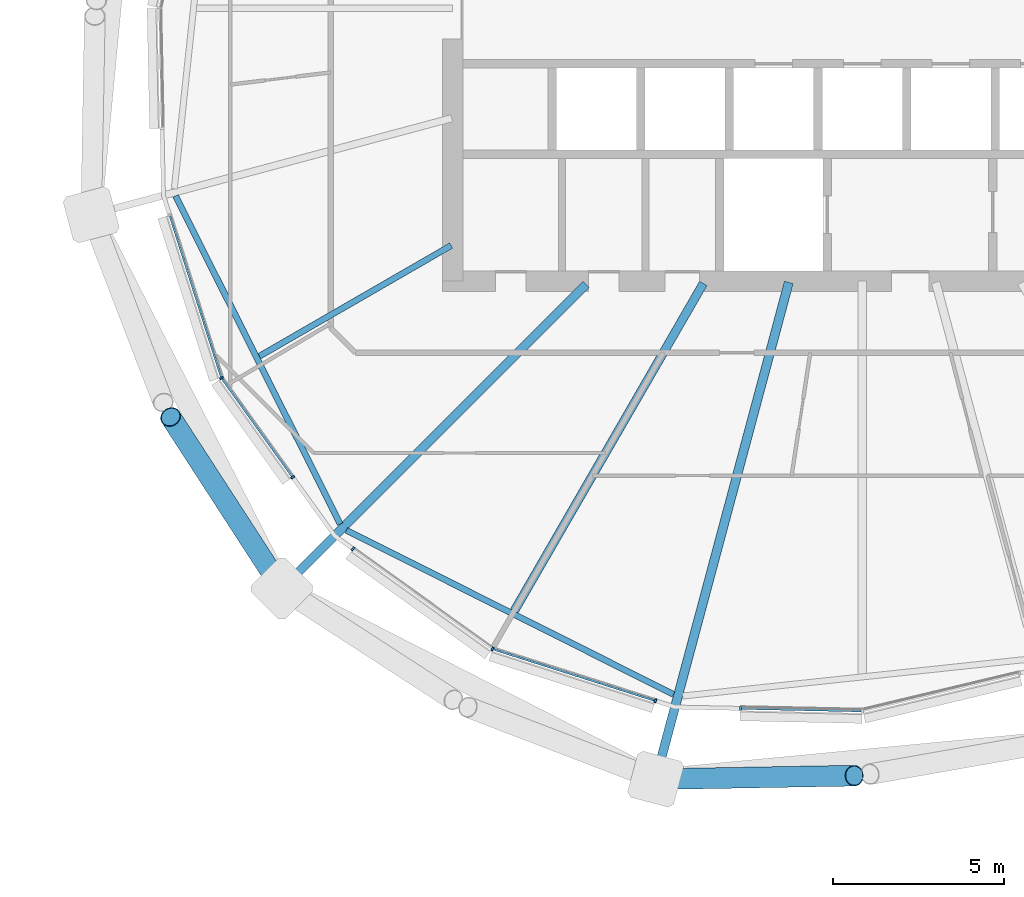
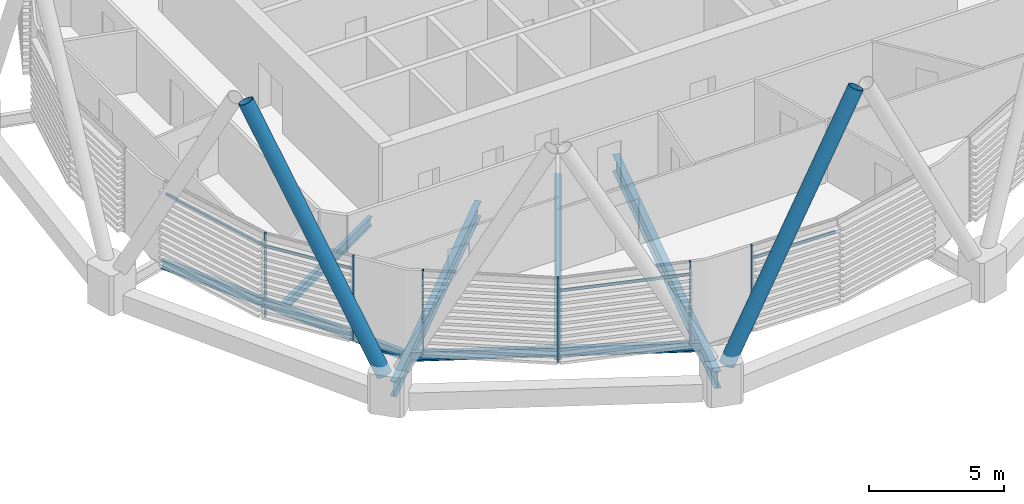
# One storey, part 14 of 35: 12 members, 6 beams, 1 element without a shape of its own.
"""IFC4 building model written with IfcOpenShell, lengths in metres."""

from ifc_helpers import new_model, si_unit, direction, frame, origin, origin_2d, place, context, subcontext, project, spatial, rectangle, hollow_circle, i_section, extrude, material, material_profile, profile_set, type_object, element, aggregate, save


model = new_model("IFC4")

# Units and contexts
model_context = context("Model", 3, precision=1e-05, world=origin(), true_north=direction((0.0, 1.0)))
body_context = subcontext(model_context, "Body", "Model", "MODEL_VIEW")
ifc_project = project(units=[si_unit("LENGTHUNIT", "METRE"), si_unit("AREAUNIT", "SQUARE_METRE"), si_unit("VOLUMEUNIT", "CUBIC_METRE"), si_unit("PLANEANGLEUNIT", "RADIAN"), si_unit("MASSUNIT", "GRAM", prefix="KILO")], contexts=[model_context])

# Site, building, storey
site_placement = place(None, origin())
site = spatial("IfcSite", under=ifc_project, at=site_placement, CompositionType="ELEMENT")
building_placement = place(site_placement, origin())
building = spatial("IfcBuilding", under=site, at=building_placement, Name="Rimbun Link Towers", CompositionType="ELEMENT")
storey_placement = place(building_placement, frame((0.0, 0.0, 181.699951171875)))
storey = spatial("IfcBuildingStorey", under=building, at=storey_placement, Name="L44", CompositionType="ELEMENT", Elevation=181.699951171875)

# Curtain wall, members
ifc_material_1 = material(Name="Aluminium 6063-T6 and low-iron glass", Category="aluminium")
curtain_wall_type = type_object("IfcCurtainWallType", Name="CW1-Z3 unitised vision wall (zone 3)", PredefinedType="NOTDEFINED", material=ifc_material_1)
curtain_wall_placement = place(storey_placement, origin())
curtain_wall = element("IfcCurtainWall", 1, at=curtain_wall_placement, inside=storey, type_object=curtain_wall_type, Name="CW1 L44 T2", PredefinedType="NOTDEFINED")
ifc_material_2 = material(Name="Aluminium 6063-T6", Category="aluminium")
ifc_material_profile_1 = material_profile(ifc_material_2, rectangle(XDim=0.1201171875, YDim=0.06005859375, at=origin_2d()), Name="MULLION 60X120")
ifc_profile_set_1 = profile_set([ifc_material_profile_1], Name="Aluminium 6063-T6")
member_type_1 = type_object("IfcMemberType", Name="CW1 mullion 60X120", PredefinedType="MULLION", material=ifc_profile_set_1)
member_1_placement = place(storey_placement, frame((12.974853515625, -10.835693359375, 0.0), z_axis=(0.0, 0.0, 1.0), x_axis=(-0.893747569042, -0.448570265211, 0.0)))
member_1 = element("IfcMember", 2, at=member_1_placement, type_object=member_type_1, Name="CW1 mullion", PredefinedType="MULLION", context=body_context, shape_type="SweptSolid", body=[
    extrude(rectangle(XDim=0.1201171875, YDim=0.06005859375, at=origin_2d()), origin(), (0.0, 0.0, 1.0), 3.800048828125),
])
member_2_placement = place(storey_placement, frame((15.061279296875, -13.744384765625, 0.0), z_axis=(0.0, 0.0, 1.0), x_axis=(-0.81246124987, -0.583015194879, 0.0)))
member_2 = element("IfcMember", 3, at=member_2_placement, type_object=member_type_1, Name="CW1 mullion", PredefinedType="MULLION", context=body_context, shape_type="SweptSolid", body=[
    extrude(rectangle(XDim=0.1201171875, YDim=0.06005859375, at=origin_2d()), origin(), (0.0, 0.0, 1.0), 3.800048828125),
])
member_3_placement = place(storey_placement, frame((20.914306640625, -18.775146484375, 0.0), z_axis=(0.0, 0.0, 1.0), x_axis=(-0.448570265211, -0.893747569042, 0.0)))
member_3 = element("IfcMember", 4, at=member_3_placement, type_object=member_type_1, Name="CW1 mullion", PredefinedType="MULLION", context=body_context, shape_type="SweptSolid", body=[
    extrude(rectangle(XDim=0.1201171875, YDim=0.06005859375, at=origin_2d()), origin(), (0.0, 0.0, 1.0), 3.800048828125),
])
member_4_placement = place(storey_placement, frame((16.82763671875, -15.84326171875, 0.0), z_axis=(0.0, 0.0, 1.0), x_axis=(-0.583015194879, -0.81246124987, 0.0)))
member_4 = element("IfcMember", 5, at=member_4_placement, type_object=member_type_1, Name="CW1 mullion", PredefinedType="MULLION", context=body_context, shape_type="SweptSolid", body=[
    extrude(rectangle(XDim=0.1201171875, YDim=0.06005859375, at=origin_2d()), origin(), (0.0, 0.0, 1.0), 3.800048828125),
])
member_5_placement = place(storey_placement, frame((25.688720703125, -20.294189453125, 0.0), z_axis=(0.0, 0.0, 1.0), x_axis=(-0.303053318374, -0.95297360206, 0.0)))
member_5 = element("IfcMember", 6, at=member_5_placement, type_object=member_type_1, Name="CW1 mullion", PredefinedType="MULLION", context=body_context, shape_type="SweptSolid", body=[
    extrude(rectangle(XDim=0.1201171875, YDim=0.06005859375, at=origin_2d()), origin(), (0.0, 0.0, 1.0), 3.800048828125),
])
member_6_placement = place(storey_placement, frame((28.177001953125, -20.518798828125, 0.0), z_axis=(0.0, 0.0, 1.0), x_axis=(-0.02106930936, -0.999778017463, 0.0)))
member_6 = element("IfcMember", 7, at=member_6_placement, type_object=member_type_1, Name="CW1 mullion", PredefinedType="MULLION", context=body_context, shape_type="SweptSolid", body=[
    extrude(rectangle(XDim=0.1201171875, YDim=0.06005859375, at=origin_2d()), origin(), (0.0, 0.0, 1.0), 3.800048828125),
])
ifc_material_3 = material(Name="Aluminium 6063-T6", Category="aluminium")
ifc_material_profile_2 = material_profile(ifc_material_3, rectangle(XDim=0.06005859375, YDim=0.1201171875, at=origin_2d()), Name="TRANSOM 60X120")
ifc_profile_set_2 = profile_set([ifc_material_profile_2], Name="Aluminium 6063-T6")
member_type_2 = type_object("IfcMemberType", Name="CW1 transom 60X120", PredefinedType="USERDEFINED", material=ifc_profile_set_2)
member_7_placement = place(storey_placement, frame((12.96435546875, -10.7978515625, 3.199951171875), z_axis=(-0.303079249721, 0.952965355293, 0.0), x_axis=(-0.952965355293, -0.303079249721, 0.0)))
member_7 = element("IfcMember", 8, at=member_7_placement, type_object=member_type_2, Name="CW1 transom", ObjectType="TRANSOM", PredefinedType="USERDEFINED", context=body_context, shape_type="SweptSolid", body=[
    extrude(rectangle(XDim=0.06005859375, YDim=0.1201171875, at=origin_2d()), origin(), (0.0, 0.0, 1.0), 4.941162109375),
])
member_8_placement = place(storey_placement, frame((15.04541015625, -13.718994140625, 3.199951171875), z_axis=(-0.582973756796, 0.812490983881, 0.0), x_axis=(-0.812490983881, -0.582973756796, 0.0)))
member_8 = element("IfcMember", 9, at=member_8_placement, type_object=member_type_2, Name="CW1 transom", ObjectType="TRANSOM", PredefinedType="USERDEFINED", context=body_context, shape_type="SweptSolid", body=[
    extrude(rectangle(XDim=0.06005859375, YDim=0.1201171875, at=origin_2d()), origin(), (0.0, 0.0, 1.0), 3.51025390625),
])
member_9_placement = place(storey_placement, frame((25.660888671875, -20.283203125, 3.199951171875), z_axis=(-0.952965355293, 0.303079249721, 0.0), x_axis=(-0.303079249721, -0.952965355293, 0.0)))
member_9 = element("IfcMember", 10, at=member_9_placement, type_object=member_type_2, Name="CW1 transom", ObjectType="TRANSOM", PredefinedType="USERDEFINED", context=body_context, shape_type="SweptSolid", body=[
    extrude(rectangle(XDim=0.06005859375, YDim=0.1201171875, at=origin_2d()), origin(), (0.0, 0.0, 1.0), 4.941162109375),
])
member_10_placement = place(storey_placement, frame((31.71875, -20.591552734375, 3.199951171875), z_axis=(-0.999776739259, 0.021129875468, 0.0), x_axis=(-0.021129875468, -0.999776739259, 0.0)))
member_10 = element("IfcMember", 11, at=member_10_placement, type_object=member_type_2, Name="CW1 transom", ObjectType="TRANSOM", PredefinedType="USERDEFINED", context=body_context, shape_type="SweptSolid", body=[
    extrude(rectangle(XDim=0.06005859375, YDim=0.1201171875, at=origin_2d()), origin(), (0.0, 0.0, 1.0), 3.512451171875),
])
aggregate(curtain_wall, [member_1, member_2, member_3, member_4, member_5, member_6, member_7, member_8, member_9, member_10])

# Members
ifc_material_4 = material(Name="Steel S355J2H", Category="steel")
ifc_material_profile_3 = material_profile(ifc_material_4, hollow_circle(Radius=0.3046875, WallThickness=0.02490234375, at=origin_2d()), Name="Diagrid diagonal CHS 610x25")
ifc_profile_set_3 = profile_set([ifc_material_profile_3], Name="Steel S355J2H")
member_type_3 = type_object("IfcMemberType", Name="Diagrid diagonal CHS 610x25", PredefinedType="BRACE", material=ifc_profile_set_3)
member_11_placement = place(storey_placement, frame((14.61279296875, -16.805419921875, 0.438720703125), z_axis=(-0.260959086545, 0.402543488365, 0.877416147062), x_axis=(-0.839104205283, -0.543970709392, 0.0)))
element("IfcMember", 12, at=member_11_placement, inside=storey, type_object=member_type_3, Name="Diagrid diagonal T2 L44-L47 12a", PredefinedType="BRACE", context=body_context, shape_type="SweptSolid", body=[
    extrude(hollow_circle(Radius=0.3046875, WallThickness=0.02490234375, at=origin_2d()), origin(), (0.0, 0.0, 1.0), 11.992919921875),
])
member_12_placement = place(storey_placement, frame((25.930908203125, -22.588134765625, 0.441650390625), z_axis=(0.468968654687, 0.008303414582, 0.88317577765), x_axis=(-0.017702917412, 0.999843291079, 0.0)))
element("IfcMember", 13, at=member_12_placement, inside=storey, type_object=member_type_3, Name="Diagrid diagonal T2 L44-L47 14b", PredefinedType="BRACE", context=body_context, shape_type="SweptSolid", body=[
    extrude(hollow_circle(Radius=0.3046875, WallThickness=0.02490234375, at=origin_2d()), origin(), (0.0, 0.0, 1.0), 11.907958984375),
])

# Beams
ifc_material_5 = material(Name="Steel S355J2", Category="steel")
ifc_material_profile_4 = material_profile(ifc_material_5, i_section(OverallWidth=0.177978515625, OverallDepth=0.406494140625, WebThickness=0.0078125, FlangeThickness=0.0126953125, at=origin_2d()), Name="UB 406x178x60")
ifc_profile_set_4 = profile_set([ifc_material_profile_4], Name="Steel S355J2")
beam_type_1 = type_object("IfcBeamType", Name="UB 406x178x60", PredefinedType="BEAM", material=ifc_profile_set_4)
beam_1_placement = place(storey_placement, frame((19.70458984375, -6.954345703125, -0.353271484375), z_axis=(-0.866027670257, -0.499996074333, 0.0), x_axis=(0.499996074333, -0.866027670257, 0.0)))
element("IfcBeam", 14, at=beam_1_placement, inside=storey, type_object=beam_type_1, Name="Radial beam T2 L44 11", PredefinedType="BEAM", context=body_context, shape_type="SweptSolid", body=[
    extrude(i_section(OverallWidth=0.177978515625, OverallDepth=0.406494140625, WebThickness=0.0078125, FlangeThickness=0.0126953125, at=origin_2d()), origin(), (0.0, 0.0, 1.0), 6.48779296875),
])
beam_2_placement = place(storey_placement, frame((11.628173828125, -5.5009765625, -0.353271484375), z_axis=(0.448502152086, -0.893781751645, 0.0), x_axis=(0.893781751645, 0.448502152086, 0.0)))
element("IfcBeam", 15, at=beam_2_placement, inside=storey, type_object=beam_type_1, Name="Edge beam T2 L44 10-12", PredefinedType="BEAM", context=body_context, shape_type="SweptSolid", body=[
    extrude(i_section(OverallWidth=0.177978515625, OverallDepth=0.406494140625, WebThickness=0.0078125, FlangeThickness=0.0126953125, at=origin_2d()), origin(), (0.0, 0.0, 1.0), 10.7578125),
])
beam_3_placement = place(storey_placement, frame((16.6337890625, -15.296875, -0.353271484375), z_axis=(0.893784553037, -0.448496569387, 0.0), x_axis=(0.448496569387, 0.893784553037, 0.0)))
element("IfcBeam", 16, at=beam_3_placement, inside=storey, type_object=beam_type_1, Name="Edge beam T2 L44 12-14", PredefinedType="BEAM", context=body_context, shape_type="SweptSolid", body=[
    extrude(i_section(OverallWidth=0.177978515625, OverallDepth=0.406494140625, WebThickness=0.0078125, FlangeThickness=0.0126953125, at=origin_2d()), origin(), (0.0, 0.0, 1.0), 10.728759765625),
])
ifc_material_6 = material(Name="Steel S355J2", Category="steel")
ifc_material_profile_5 = material_profile(ifc_material_6, i_section(OverallWidth=0.253662109375, OverallDepth=0.68359375, WebThickness=0.012451171875, FlangeThickness=0.01904296875, at=origin_2d()), Name="UB 686x254x140")
ifc_profile_set_5 = profile_set([ifc_material_profile_5], Name="Steel S355J2")
beam_type_2 = type_object("IfcBeamType", Name="UB 686x254x140", PredefinedType="BEAM", material=ifc_profile_set_5)
beam_4_placement = place(storey_placement, frame((23.65966796875, -8.09033203125, -0.49169921875), z_axis=(-0.707106781187, -0.707106781187, 0.0), x_axis=(0.707106781187, -0.707106781187, 0.0)))
element("IfcBeam", 17, at=beam_4_placement, inside=storey, type_object=beam_type_2, Name="Radial beam T2 L44 12", PredefinedType="BEAM", context=body_context, shape_type="SweptSolid", body=[
    extrude(i_section(OverallWidth=0.253662109375, OverallDepth=0.68359375, WebThickness=0.012451171875, FlangeThickness=0.01904296875, at=origin_2d()), origin(), (0.0, 0.0, 1.0), 12.109619140625),
])
beam_5_placement = place(storey_placement, frame((27.093994140625, -8.064208984375, -0.49169921875), z_axis=(-0.499983647618, -0.866034844631, 0.0), x_axis=(0.866034844631, -0.499983647618, 0.0)))
element("IfcBeam", 18, at=beam_5_placement, inside=storey, type_object=beam_type_2, Name="Radial beam T2 L44 13", PredefinedType="BEAM", context=body_context, shape_type="SweptSolid", body=[
    extrude(i_section(OverallWidth=0.253662109375, OverallDepth=0.68359375, WebThickness=0.012451171875, FlangeThickness=0.01904296875, at=origin_2d()), origin(), (0.0, 0.0, 1.0), 11.084716796875),
])
ifc_material_7 = material(Name="Steel S355J2", Category="steel")
ifc_material_profile_6 = material_profile(ifc_material_7, i_section(OverallWidth=0.2666015625, OverallDepth=0.76220703125, WebThickness=0.014404296875, FlangeThickness=0.021484375, at=origin_2d()), Name="UB 762x267x173")
ifc_profile_set_6 = profile_set([ifc_material_profile_6], Name="Steel S355J2")
beam_type_3 = type_object("IfcBeamType", Name="UB 762x267x173", PredefinedType="BEAM", material=ifc_profile_set_6)
beam_6_placement = place(storey_placement, frame((29.596923828125, -8.035400390625, -0.531005859375), z_axis=(-0.258831565346, -0.965922471413, 0.0), x_axis=(0.965922471413, -0.258831565346, 0.0)))
element("IfcBeam", 19, at=beam_6_placement, inside=storey, type_object=beam_type_3, Name="Radial beam T2 L44 14", PredefinedType="BEAM", context=body_context, shape_type="SweptSolid", body=[
    extrude(i_section(OverallWidth=0.2666015625, OverallDepth=0.76220703125, WebThickness=0.014404296875, FlangeThickness=0.021484375, at=origin_2d()), origin(), (0.0, 0.0, 1.0), 14.5703125),
])

save(model, "model.ifc")
